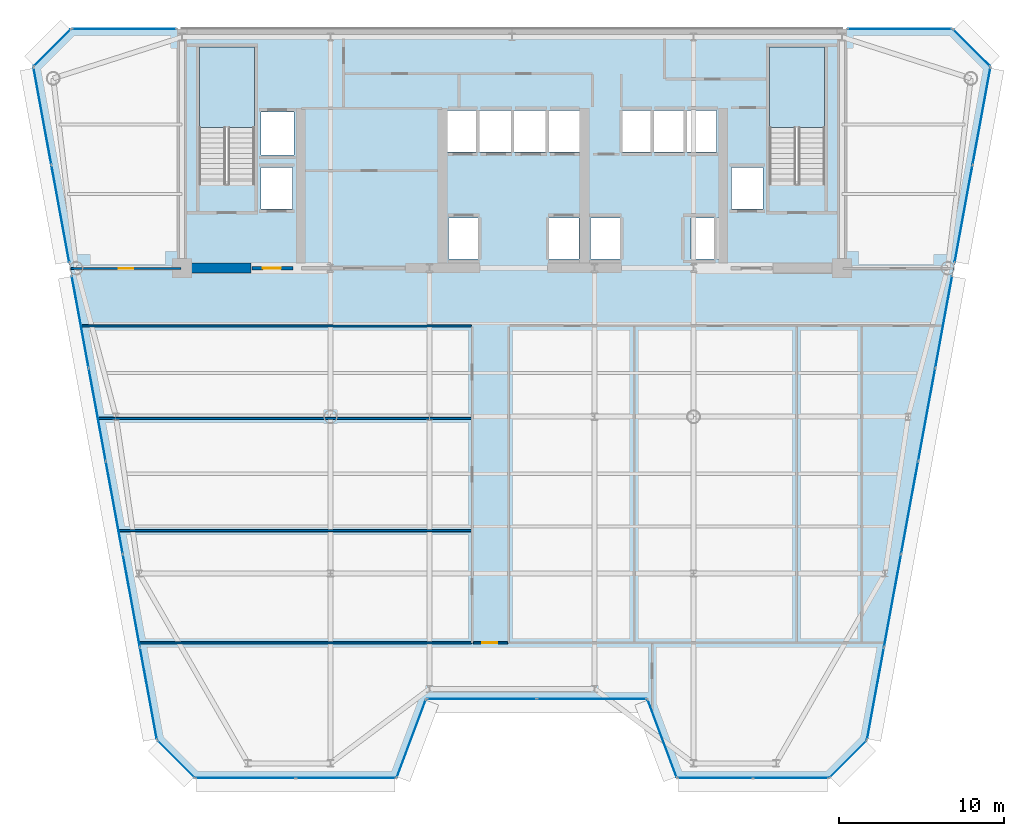
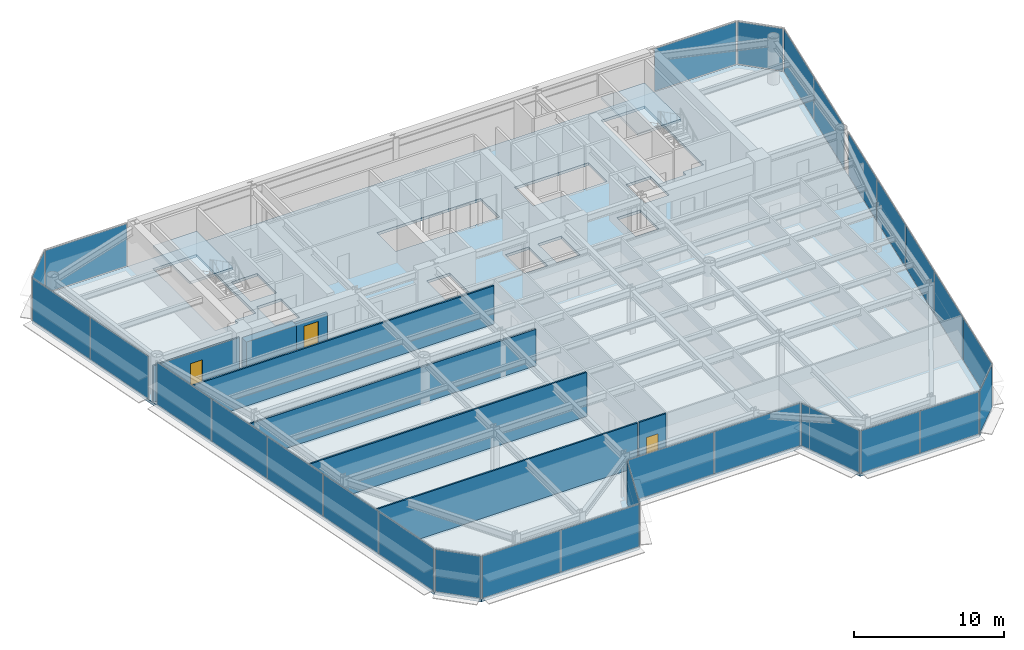
# One storey, part 9 of 16: 28 plates, 8 walls, 3 doors, 3 slabs, 3 openings, 17 elements without a shape of their own.
"""IFC4 building model written with IfcOpenShell, lengths in metres."""

from ifc_helpers import new_model, si_unit, direction, frame, frame_2d, origin, origin_2d, place, context, subcontext, project, spatial, polyline, rectangle, outline, extrude, source, transform, mapped, material, layer, layer_set, type_object, element, fill, aggregate, save


model = new_model("IFC4")

# Units and contexts
model_context = context("Model", 3, precision=1e-05, world=origin(), true_north=direction((0.0, 1.0)))
body_context = subcontext(model_context, "Body", "Model", "MODEL_VIEW")
ifc_project = project(units=[si_unit("LENGTHUNIT", "METRE"), si_unit("AREAUNIT", "SQUARE_METRE"), si_unit("VOLUMEUNIT", "CUBIC_METRE"), si_unit("PLANEANGLEUNIT", "RADIAN"), si_unit("MASSUNIT", "GRAM", prefix="KILO")], contexts=[model_context])

# Site, building, storey
site_placement = place(None, origin())
site = spatial("IfcSite", under=ifc_project, at=site_placement, CompositionType="ELEMENT")
building_placement = place(site_placement, origin())
building = spatial("IfcBuilding", under=site, at=building_placement, Name="Vaeldorn Concourse Tower", CompositionType="ELEMENT")
storey_placement = place(building_placement, frame((0.0, 0.0, 184.199951171875)))
storey = spatial("IfcBuildingStorey", under=building, at=storey_placement, Name="L47", CompositionType="ELEMENT", Elevation=184.199951171875)

# Stair, slab
ifc_material_1 = material(Name="Precast concrete C40/50", Category="concrete")
stair_type = type_object("IfcStairType", Name="STR-DOG-24x158", PredefinedType="HALF_TURN_STAIR", material=ifc_material_1)
stair_1_placement = place(storey_placement, origin())
stair_1 = element("IfcStair", 1, at=stair_1_placement, inside=storey, type_object=stair_type, Name="L47 West Core Exit Stair ST-1", PredefinedType="HALF_TURN_STAIR")
ifc_material_2 = material(Name="Concrete C40/50", Category="concrete")
ifc_layer_1 = layer(ifc_material_2, 0.199951171875)
ifc_layer_set_1 = layer_set([ifc_layer_1], Name="Concrete C40/50")
slab_type_1 = type_object("IfcSlabType", Name="SL-STAIR-LANDING", PredefinedType="LANDING", material=ifc_layer_set_1)
slab_1_placement = place(storey_placement, frame((0.0, 0.0, 1.699951171875)))
slab_1 = element("IfcSlab", 2, at=slab_1_placement, type_object=slab_type_1, Name="ST-1 landing 1", PredefinedType="LANDING", context=body_context, shape_type="SweptSolid", body=[
    extrude(outline(polyline([(18.39990234375, 45.010009765625), (18.39990234375, 49.89990234375), (15.050048828125, 49.89990234375), (15.050048828125, 45.010009765625), (18.39990234375, 45.010009765625)])), origin(), (0.0, 0.0, 1.0), 0.2001953125),
])
aggregate(stair_1, [slab_1])

stair_2_placement = place(storey_placement, origin())
stair_2 = element("IfcStair", 3, at=stair_2_placement, inside=storey, type_object=stair_type, Name="L47 East Core Exit Stair ST-2", PredefinedType="HALF_TURN_STAIR")
slab_2_placement = place(storey_placement, frame((0.0, 0.0, 1.699951171875)))
slab_2 = element("IfcSlab", 4, at=slab_2_placement, type_object=slab_type_1, Name="ST-2 landing 1", PredefinedType="LANDING", context=body_context, shape_type="SweptSolid", body=[
    extrude(outline(polyline([(52.949951171875, 45.010009765625), (52.949951171875, 49.89990234375), (49.60009765625, 49.89990234375), (49.60009765625, 45.010009765625), (52.949951171875, 45.010009765625)])), origin(), (0.0, 0.0, 1.0), 0.2001953125),
])
aggregate(stair_2, [slab_2])

# Slab
ifc_layer_2 = layer(ifc_material_2, 0.219970703125)
ifc_layer_set_2 = layer_set([ifc_layer_2], Name="Concrete C40/50")
slab_type_2 = type_object("IfcSlabType", Name="SL-TYP-220", PredefinedType="FLOOR", material=ifc_layer_set_2)
slab_3_placement = place(storey_placement, frame((0.0, 0.0, -0.219970703125)))
element("IfcSlab", 5, at=slab_3_placement, inside=storey, type_object=slab_type_2, Name="Structural Floor Slab L47", PredefinedType="FLOOR", context=body_context, shape_type="SweptSolid", body=[
    extrude(outline(polyline([(14.791015625, 5.60009765625), (27.0, 5.60009765625), (28.800048828125, 10.39990234375), (42.199951171875, 10.39990234375), (44.0, 5.60009765625), (53.208984375, 5.60009765625), (55.509033203125, 7.89990234375), (63.0, 48.699951171875), (60.699951171875, 51.0), (7.300048828125, 51.0), (5.0, 48.699951171875), (12.490966796875, 7.89990234375), (14.791015625, 5.60009765625)]), holes=[polyline([(18.39990234375, 42.0), (18.39990234375, 49.89990234375), (15.050048828125, 49.89990234375), (15.050048828125, 41.60009765625), (16.800048828125, 41.60009765625), (16.800048828125, 42.0), (18.39990234375, 42.0)]), polyline([(52.949951171875, 42.0), (52.949951171875, 49.89990234375), (49.60009765625, 49.89990234375), (49.60009765625, 41.60009765625), (51.35009765625, 41.60009765625), (51.35009765625, 42.0), (52.949951171875, 42.0)]), polyline([(30.14990234375, 37.050048828125), (31.949951171875, 37.050048828125), (31.949951171875, 39.550048828125), (30.14990234375, 39.550048828125), (30.14990234375, 37.050048828125)]), polyline([(36.25, 37.050048828125), (38.050048828125, 37.050048828125), (38.050048828125, 39.550048828125), (36.25, 39.550048828125), (36.25, 37.050048828125)]), polyline([(30.10009765625, 43.550048828125), (38.10009765625, 43.550048828125), (38.10009765625, 46.050048828125), (30.10009765625, 46.050048828125), (30.10009765625, 43.550048828125)]), polyline([(38.75, 37.050048828125), (40.550048828125, 37.050048828125), (40.550048828125, 39.550048828125), (38.75, 39.550048828125), (38.75, 37.050048828125)]), polyline([(44.85009765625, 37.050048828125), (46.64990234375, 37.050048828125), (46.64990234375, 39.550048828125), (44.85009765625, 39.550048828125), (44.85009765625, 37.050048828125)]), polyline([(40.699951171875, 43.550048828125), (46.39990234375, 43.550048828125), (46.39990234375, 46.050048828125), (40.699951171875, 46.050048828125), (40.699951171875, 43.550048828125)]), polyline([(18.800048828125, 43.35009765625), (20.800048828125, 43.35009765625), (20.800048828125, 45.949951171875), (18.800048828125, 45.949951171875), (18.800048828125, 43.35009765625)]), polyline([(18.800048828125, 40.10009765625), (20.699951171875, 40.10009765625), (20.699951171875, 42.60009765625), (18.800048828125, 42.60009765625), (18.800048828125, 40.10009765625)]), polyline([(47.300048828125, 40.10009765625), (49.199951171875, 40.10009765625), (49.199951171875, 42.60009765625), (47.300048828125, 42.60009765625), (47.300048828125, 40.10009765625)])]), origin(), (0.0, 0.0, 1.0), 0.219970703125),
])

# Curtain wall, plate
ifc_material_3 = material(Name="Anodised Bronze Aluminium", Category="aluminium")
ifc_layer_3 = layer(ifc_material_3, 0.18994140625)
ifc_layer_set_3 = layer_set([ifc_layer_3], Name="Anodised Bronze Aluminium")
curtain_wall_type = type_object("IfcCurtainWallType", Name="CW-SYS-03", PredefinedType="NOTDEFINED", material=ifc_layer_set_3)
curtain_wall_1_placement = place(storey_placement, origin())
curtain_wall_1 = element("IfcCurtainWall", 6, at=curtain_wall_1_placement, inside=storey, type_object=curtain_wall_type, Name="Unitised Curtain Wall CW-L47-E02-1", PredefinedType="NOTDEFINED")
ifc_material_4 = material(Name="Bronze Tinted Low-E Insulated Glass", Category="glass")
ifc_layer_4 = layer(ifc_material_4, 0.031982421875)
ifc_layer_set_4 = layer_set([ifc_layer_4], Name="Bronze Tinted Low-E Insulated Glass")
plate_type = type_object("IfcPlateType", Name="CWP-VISION-32", PredefinedType="CURTAIN_PANEL", material=ifc_layer_set_4)
shared_shape_1 = source(origin(), body_context, "Body", "SweptSolid", [
    extrude(rectangle(XDim=4.996337890625, YDim=0.031982421875, at=origin_2d()), origin(), (0.0, 0.0, 1.0), 3.449951171875),
])
plate_1_placement = place(storey_placement, frame((27.89990234375, 8.0, 0.06494140625), z_axis=(0.0, 0.0, 1.0), x_axis=(0.351123441595, 0.936329177566, 0.0)))
plate_1 = element("IfcPlate", 7, at=plate_1_placement, type_object=plate_type, Name="CW-03 panel 1.1", PredefinedType="CURTAIN_PANEL", context=body_context, shape_type="MappedRepresentation", body=[
    mapped(shared_shape_1, transform((0.0, 0.0, 0.0), scale=1.0)),
])
aggregate(curtain_wall_1, [plate_1])

curtain_wall_2_placement = place(storey_placement, origin())
curtain_wall_2 = element("IfcCurtainWall", 8, at=curtain_wall_2_placement, inside=storey, type_object=curtain_wall_type, Name="Unitised Curtain Wall CW-L47-E04-1", PredefinedType="NOTDEFINED")
plate_2_placement = place(storey_placement, frame((43.10009765625, 8.0, 0.06494140625), z_axis=(0.0, 0.0, 1.0), x_axis=(0.351123441595, -0.936329177566, 0.0)))
plate_2 = element("IfcPlate", 9, at=plate_2_placement, type_object=plate_type, Name="CW-03 panel 1.1", PredefinedType="CURTAIN_PANEL", context=body_context, shape_type="MappedRepresentation", body=[
    mapped(shared_shape_1, transform((0.0, 0.0, 0.0), scale=1.0)),
])
aggregate(curtain_wall_2, [plate_2])

# Curtain wall, plates
curtain_wall_3_placement = place(storey_placement, origin())
curtain_wall_3 = element("IfcCurtainWall", 10, at=curtain_wall_3_placement, inside=storey, type_object=curtain_wall_type, Name="Unitised Curtain Wall CW-L47-E03-1", PredefinedType="NOTDEFINED")
shared_shape_2 = source(origin(), body_context, "Body", "SweptSolid", [
    extrude(rectangle(XDim=6.6025390625, YDim=0.031982421875, at=origin_2d()), origin(), (0.0, 0.0, 1.0), 3.449951171875),
])
plate_3_placement = place(storey_placement, frame((32.166259765625, 10.39990234375, 0.06494140625), z_axis=(0.0, 0.0, 1.0), x_axis=(1.0, 0.0, 0.0)))
plate_3 = element("IfcPlate", 11, at=plate_3_placement, type_object=plate_type, Name="CW-03 panel 1.1", PredefinedType="CURTAIN_PANEL", context=body_context, shape_type="MappedRepresentation", body=[
    mapped(shared_shape_2, transform((0.0, 0.0, 0.0), scale=1.0)),
])
plate_4_placement = place(storey_placement, frame((38.833740234375, 10.39990234375, 0.06494140625), z_axis=(0.0, 0.0, 1.0), x_axis=(1.0, 0.0, 0.0)))
plate_4 = element("IfcPlate", 12, at=plate_4_placement, type_object=plate_type, Name="CW-03 panel 2.1", PredefinedType="CURTAIN_PANEL", context=body_context, shape_type="MappedRepresentation", body=[
    mapped(shared_shape_2, transform((0.0, 0.0, 0.0), scale=1.0)),
])
aggregate(curtain_wall_3, [plate_3, plate_4])

# Curtain wall, plate
curtain_wall_4_placement = place(storey_placement, origin())
curtain_wall_4 = element("IfcCurtainWall", 13, at=curtain_wall_4_placement, inside=storey, type_object=curtain_wall_type, Name="Unitised Curtain Wall CW-L47-E06-1", PredefinedType="NOTDEFINED")
shared_shape_3 = source(origin(), body_context, "Body", "SweptSolid", [
    extrude(rectangle(XDim=3.122802734375, YDim=0.031982421875, at=origin_2d()), origin(), (0.0, 0.0, 1.0), 3.449951171875),
])
plate_5_placement = place(storey_placement, frame((54.35888671875, 6.75, 0.06494140625), z_axis=(0.0, 0.0, 1.0), x_axis=(0.707106781187, 0.707106781187, 0.0)))
plate_5 = element("IfcPlate", 14, at=plate_5_placement, type_object=plate_type, Name="CW-03 panel 1.1", PredefinedType="CURTAIN_PANEL", context=body_context, shape_type="MappedRepresentation", body=[
    mapped(shared_shape_3, transform((0.0, 0.0, 0.0), scale=1.0)),
])
aggregate(curtain_wall_4, [plate_5])

curtain_wall_5_placement = place(storey_placement, origin())
curtain_wall_5 = element("IfcCurtainWall", 15, at=curtain_wall_5_placement, inside=storey, type_object=curtain_wall_type, Name="Unitised Curtain Wall CW-L47-E08-1", PredefinedType="NOTDEFINED")
plate_6_placement = place(storey_placement, frame((61.85009765625, 49.85009765625, 0.06494140625), z_axis=(0.0, 0.0, 1.0), x_axis=(-0.707106781187, 0.707106781187, 0.0)))
plate_6 = element("IfcPlate", 16, at=plate_6_placement, type_object=plate_type, Name="CW-03 panel 1.1", PredefinedType="CURTAIN_PANEL", context=body_context, shape_type="MappedRepresentation", body=[
    mapped(shared_shape_3, transform((0.0, 0.0, 0.0), scale=1.0)),
])
aggregate(curtain_wall_5, [plate_6])

curtain_wall_6_placement = place(storey_placement, origin())
curtain_wall_6 = element("IfcCurtainWall", 17, at=curtain_wall_6_placement, inside=storey, type_object=curtain_wall_type, Name="Unitised Curtain Wall CW-L47-E10-1", PredefinedType="NOTDEFINED")
plate_7_placement = place(storey_placement, frame((6.14990234375, 49.85009765625, 0.06494140625), z_axis=(0.0, 0.0, 1.0), x_axis=(-0.707106781187, -0.707106781187, 0.0)))
plate_7 = element("IfcPlate", 18, at=plate_7_placement, type_object=plate_type, Name="CW-03 panel 1.1", PredefinedType="CURTAIN_PANEL", context=body_context, shape_type="MappedRepresentation", body=[
    mapped(shared_shape_3, transform((0.0, 0.0, 0.0), scale=1.0)),
])
aggregate(curtain_wall_6, [plate_7])

curtain_wall_7_placement = place(storey_placement, origin())
curtain_wall_7 = element("IfcCurtainWall", 19, at=curtain_wall_7_placement, inside=storey, type_object=curtain_wall_type, Name="Unitised Curtain Wall CW-L47-E12-1", PredefinedType="NOTDEFINED")
plate_8_placement = place(storey_placement, frame((13.64111328125, 6.75, 0.06494140625), z_axis=(0.0, 0.0, 1.0), x_axis=(0.707106781187, -0.707106781187, 0.0)))
plate_8 = element("IfcPlate", 20, at=plate_8_placement, type_object=plate_type, Name="CW-03 panel 1.1", PredefinedType="CURTAIN_PANEL", context=body_context, shape_type="MappedRepresentation", body=[
    mapped(shared_shape_3, transform((0.0, 0.0, 0.0), scale=1.0)),
])
aggregate(curtain_wall_7, [plate_8])

curtain_wall_8_placement = place(storey_placement, origin())
curtain_wall_8 = element("IfcCurtainWall", 21, at=curtain_wall_8_placement, inside=storey, type_object=curtain_wall_type, Name="Unitised Curtain Wall CW-L47-E09-1", PredefinedType="NOTDEFINED")
shared_shape_4 = source(origin(), body_context, "Body", "SweptSolid", [
    extrude(rectangle(XDim=6.27490234375, YDim=0.031982421875, at=origin_2d()), origin(), (0.0, 0.0, 1.0), 3.449951171875),
])
plate_9_placement = place(storey_placement, frame((57.49755859375, 51.0, 0.06494140625), z_axis=(0.0, 0.0, 1.0), x_axis=(-1.0, 0.0, 0.0)))
plate_9 = element("IfcPlate", 22, at=plate_9_placement, type_object=plate_type, Name="CW-03 panel 1.1", PredefinedType="CURTAIN_PANEL", context=body_context, shape_type="MappedRepresentation", body=[
    mapped(shared_shape_4, transform((0.0, 0.0, 0.0), scale=1.0)),
])
aggregate(curtain_wall_8, [plate_9])

curtain_wall_9_placement = place(storey_placement, origin())
curtain_wall_9 = element("IfcCurtainWall", 23, at=curtain_wall_9_placement, inside=storey, type_object=curtain_wall_type, Name="Unitised Curtain Wall CW-L47-E09-2", PredefinedType="NOTDEFINED")
plate_10_placement = place(storey_placement, frame((10.50244140625, 51.0, 0.06494140625), z_axis=(0.0, 0.0, 1.0), x_axis=(-1.0, 0.0, 0.0)))
plate_10 = element("IfcPlate", 24, at=plate_10_placement, type_object=plate_type, Name="CW-03 panel 1.1", PredefinedType="CURTAIN_PANEL", context=body_context, shape_type="MappedRepresentation", body=[
    mapped(shared_shape_4, transform((0.0, 0.0, 0.0), scale=1.0)),
])
aggregate(curtain_wall_9, [plate_10])

# Curtain wall, plates
curtain_wall_10_placement = place(storey_placement, origin())
curtain_wall_10 = element("IfcCurtainWall", 25, at=curtain_wall_10_placement, inside=storey, type_object=curtain_wall_type, Name="Unitised Curtain Wall CW-L47-E07-1", PredefinedType="NOTDEFINED")
shared_shape_5 = source(origin(), body_context, "Body", "SweptSolid", [
    extrude(rectangle(XDim=5.63330078125, YDim=0.031982421875, at=origin_2d()), origin(), (0.0, 0.0, 1.0), 3.449951171875),
])
plate_11_placement = place(storey_placement, frame((56.029296875, 10.734375, 0.06494140625), z_axis=(0.0, 0.0, 1.0), x_axis=(0.180585309951, 0.983559325018, 0.0)))
plate_11 = element("IfcPlate", 26, at=plate_11_placement, type_object=plate_type, Name="CW-03 panel 1.1", PredefinedType="CURTAIN_PANEL", context=body_context, shape_type="MappedRepresentation", body=[
    mapped(shared_shape_5, transform((0.0, 0.0, 0.0), scale=1.0)),
])
plate_12_placement = place(storey_placement, frame((60.1630859375, 33.249267578125, 0.06494140625), z_axis=(0.0, 0.0, 1.0), x_axis=(0.180585309951, 0.983559325018, 0.0)))
plate_12 = element("IfcPlate", 27, at=plate_12_placement, type_object=plate_type, Name="CW-03 panel 5.1", PredefinedType="CURTAIN_PANEL", context=body_context, shape_type="MappedRepresentation", body=[
    mapped(shared_shape_5, transform((0.0, 0.0, 0.0), scale=1.0)),
])

curtain_wall_11_placement = place(storey_placement, origin())
curtain_wall_11 = element("IfcCurtainWall", 28, at=curtain_wall_11_placement, inside=storey, type_object=curtain_wall_type, Name="Unitised Curtain Wall CW-L47-E11-2", PredefinedType="NOTDEFINED")
plate_13_placement = place(storey_placement, frame((7.8369140625, 33.249267578125, 0.06494140625), z_axis=(0.0, 0.0, 1.0), x_axis=(0.180585309951, -0.983559325018, 0.0)))
plate_13 = element("IfcPlate", 29, at=plate_13_placement, type_object=plate_type, Name="CW-03 panel 1.1", PredefinedType="CURTAIN_PANEL", context=body_context, shape_type="MappedRepresentation", body=[
    mapped(shared_shape_5, transform((0.0, 0.0, 0.0), scale=1.0)),
])
plate_14_placement = place(storey_placement, frame((11.970703125, 10.734375, 0.06494140625), z_axis=(0.0, 0.0, 1.0), x_axis=(0.180585309951, -0.983559325018, 0.0)))
plate_14 = element("IfcPlate", 30, at=plate_14_placement, type_object=plate_type, Name="CW-03 panel 5.1", PredefinedType="CURTAIN_PANEL", context=body_context, shape_type="MappedRepresentation", body=[
    mapped(shared_shape_5, transform((0.0, 0.0, 0.0), scale=1.0)),
])

# Plate
shared_shape_6 = source(origin(), body_context, "Body", "SweptSolid", [
    extrude(rectangle(XDim=5.666015625, YDim=0.031982421875, at=origin_2d()), origin(), (0.0, 0.0, 1.0), 3.449951171875),
])
plate_15_placement = place(storey_placement, frame((57.061279296875, 16.35498046875, 0.06494140625), z_axis=(0.0, 0.0, 1.0), x_axis=(0.180585309951, 0.983559325018, 0.0)))
plate_15 = element("IfcPlate", 31, at=plate_15_placement, type_object=plate_type, Name="CW-03 panel 2.1", PredefinedType="CURTAIN_PANEL", context=body_context, shape_type="MappedRepresentation", body=[
    mapped(shared_shape_6, transform((0.0, 0.0, 0.0), scale=1.0)),
])

plate_16_placement = place(storey_placement, frame((58.09619140625, 21.99169921875, 0.06494140625), z_axis=(0.0, 0.0, 1.0), x_axis=(0.180585309951, 0.983559325018, 0.0)))
plate_16 = element("IfcPlate", 32, at=plate_16_placement, type_object=plate_type, Name="CW-03 panel 3.1", PredefinedType="CURTAIN_PANEL", context=body_context, shape_type="MappedRepresentation", body=[
    mapped(shared_shape_6, transform((0.0, 0.0, 0.0), scale=1.0)),
])

plate_17_placement = place(storey_placement, frame((59.131103515625, 27.62841796875, 0.06494140625), z_axis=(0.0, 0.0, 1.0), x_axis=(0.180585309951, 0.983559325018, 0.0)))
plate_17 = element("IfcPlate", 33, at=plate_17_placement, type_object=plate_type, Name="CW-03 panel 4.1", PredefinedType="CURTAIN_PANEL", context=body_context, shape_type="MappedRepresentation", body=[
    mapped(shared_shape_6, transform((0.0, 0.0, 0.0), scale=1.0)),
])

aggregate(curtain_wall_10, [plate_11, plate_15, plate_16, plate_17, plate_12])

plate_18_placement = place(storey_placement, frame((8.868896484375, 27.62841796875, 0.06494140625), z_axis=(0.0, 0.0, 1.0), x_axis=(0.180585309951, -0.983559325018, 0.0)))
plate_18 = element("IfcPlate", 34, at=plate_18_placement, type_object=plate_type, Name="CW-03 panel 2.1", PredefinedType="CURTAIN_PANEL", context=body_context, shape_type="MappedRepresentation", body=[
    mapped(shared_shape_6, transform((0.0, 0.0, 0.0), scale=1.0)),
])

plate_19_placement = place(storey_placement, frame((9.90380859375, 21.99169921875, 0.06494140625), z_axis=(0.0, 0.0, 1.0), x_axis=(0.180585309951, -0.983559325018, 0.0)))
plate_19 = element("IfcPlate", 35, at=plate_19_placement, type_object=plate_type, Name="CW-03 panel 3.1", PredefinedType="CURTAIN_PANEL", context=body_context, shape_type="MappedRepresentation", body=[
    mapped(shared_shape_6, transform((0.0, 0.0, 0.0), scale=1.0)),
])

plate_20_placement = place(storey_placement, frame((10.938720703125, 16.35498046875, 0.06494140625), z_axis=(0.0, 0.0, 1.0), x_axis=(0.180585309951, -0.983559325018, 0.0)))
plate_20 = element("IfcPlate", 36, at=plate_20_placement, type_object=plate_type, Name="CW-03 panel 4.1", PredefinedType="CURTAIN_PANEL", context=body_context, shape_type="MappedRepresentation", body=[
    mapped(shared_shape_6, transform((0.0, 0.0, 0.0), scale=1.0)),
])

aggregate(curtain_wall_11, [plate_13, plate_18, plate_19, plate_20, plate_14])

# Curtain wall, plates
curtain_wall_12_placement = place(storey_placement, origin())
curtain_wall_12 = element("IfcCurtainWall", 37, at=curtain_wall_12_placement, inside=storey, type_object=curtain_wall_type, Name="Unitised Curtain Wall CW-L47-E07-2", PredefinedType="NOTDEFINED")
shared_shape_7 = source(origin(), body_context, "Body", "SweptSolid", [
    extrude(rectangle(XDim=5.9482421875, YDim=0.031982421875, at=origin_2d()), origin(), (0.0, 0.0, 1.0), 3.449951171875),
])
plate_21_placement = place(storey_placement, frame((61.365234375, 39.796630859375, 0.06494140625), z_axis=(0.0, 0.0, 1.0), x_axis=(0.180584576845, 0.983559459619, 0.0)))
plate_21 = element("IfcPlate", 38, at=plate_21_placement, type_object=plate_type, Name="CW-03 panel 1.1", PredefinedType="CURTAIN_PANEL", context=body_context, shape_type="MappedRepresentation", body=[
    mapped(shared_shape_7, transform((0.0, 0.0, 0.0), scale=1.0)),
])
plate_22_placement = place(storey_placement, frame((62.451171875, 45.7109375, 0.06494140625), z_axis=(0.0, 0.0, 1.0), x_axis=(0.180584576845, 0.983559459619, 0.0)))
plate_22 = element("IfcPlate", 39, at=plate_22_placement, type_object=plate_type, Name="CW-03 panel 2.1", PredefinedType="CURTAIN_PANEL", context=body_context, shape_type="MappedRepresentation", body=[
    mapped(shared_shape_7, transform((0.0, 0.0, 0.0), scale=1.0)),
])
aggregate(curtain_wall_12, [plate_21, plate_22])

curtain_wall_13_placement = place(storey_placement, origin())
curtain_wall_13 = element("IfcCurtainWall", 40, at=curtain_wall_13_placement, inside=storey, type_object=curtain_wall_type, Name="Unitised Curtain Wall CW-L47-E11-1", PredefinedType="NOTDEFINED")
plate_23_placement = place(storey_placement, frame((5.548828125, 45.7109375, 0.06494140625), z_axis=(0.0, 0.0, 1.0), x_axis=(0.180584576845, -0.983559459619, 0.0)))
plate_23 = element("IfcPlate", 41, at=plate_23_placement, type_object=plate_type, Name="CW-03 panel 1.1", PredefinedType="CURTAIN_PANEL", context=body_context, shape_type="MappedRepresentation", body=[
    mapped(shared_shape_7, transform((0.0, 0.0, 0.0), scale=1.0)),
])
plate_24_placement = place(storey_placement, frame((6.634765625, 39.796630859375, 0.06494140625), z_axis=(0.0, 0.0, 1.0), x_axis=(0.180584576845, -0.983559459619, 0.0)))
plate_24 = element("IfcPlate", 42, at=plate_24_placement, type_object=plate_type, Name="CW-03 panel 2.1", PredefinedType="CURTAIN_PANEL", context=body_context, shape_type="MappedRepresentation", body=[
    mapped(shared_shape_7, transform((0.0, 0.0, 0.0), scale=1.0)),
])
aggregate(curtain_wall_13, [plate_23, plate_24])

curtain_wall_14_placement = place(storey_placement, origin())
curtain_wall_14 = element("IfcCurtainWall", 43, at=curtain_wall_14_placement, inside=storey, type_object=curtain_wall_type, Name="Unitised Curtain Wall CW-L47-E01-1", PredefinedType="NOTDEFINED")
shared_shape_8 = source(origin(), body_context, "Body", "SweptSolid", [
    extrude(rectangle(XDim=6.007080078125, YDim=0.031982421875, at=origin_2d()), origin(), (0.0, 0.0, 1.0), 3.449951171875),
])
plate_25_placement = place(storey_placement, frame((17.859619140625, 5.60009765625, 0.06494140625), z_axis=(0.0, 0.0, 1.0), x_axis=(1.0, 0.0, 0.0)))
plate_25 = element("IfcPlate", 44, at=plate_25_placement, type_object=plate_type, Name="CW-03 panel 1.1", PredefinedType="CURTAIN_PANEL", context=body_context, shape_type="MappedRepresentation", body=[
    mapped(shared_shape_8, transform((0.0, 0.0, 0.0), scale=1.0)),
])
plate_26_placement = place(storey_placement, frame((23.931396484375, 5.60009765625, 0.06494140625), z_axis=(0.0, 0.0, 1.0), x_axis=(1.0, 0.0, 0.0)))
plate_26 = element("IfcPlate", 45, at=plate_26_placement, type_object=plate_type, Name="CW-03 panel 2.1", PredefinedType="CURTAIN_PANEL", context=body_context, shape_type="MappedRepresentation", body=[
    mapped(shared_shape_8, transform((0.0, 0.0, 0.0), scale=1.0)),
])
aggregate(curtain_wall_14, [plate_25, plate_26])

curtain_wall_15_placement = place(storey_placement, origin())
curtain_wall_15 = element("IfcCurtainWall", 46, at=curtain_wall_15_placement, inside=storey, type_object=curtain_wall_type, Name="Unitised Curtain Wall CW-L47-E05-1", PredefinedType="NOTDEFINED")
shared_shape_9 = source(origin(), body_context, "Body", "SweptSolid", [
    extrude(rectangle(XDim=4.507080078125, YDim=0.031982421875, at=origin_2d()), origin(), (0.0, 0.0, 1.0), 3.449951171875),
])
plate_27_placement = place(storey_placement, frame((46.318603515625, 5.60009765625, 0.06494140625), z_axis=(0.0, 0.0, 1.0), x_axis=(1.0, 0.0, 0.0)))
plate_27 = element("IfcPlate", 47, at=plate_27_placement, type_object=plate_type, Name="CW-03 panel 1.1", PredefinedType="CURTAIN_PANEL", context=body_context, shape_type="MappedRepresentation", body=[
    mapped(shared_shape_9, transform((0.0, 0.0, 0.0), scale=1.0)),
])
plate_28_placement = place(storey_placement, frame((50.890380859375, 5.60009765625, 0.06494140625), z_axis=(0.0, 0.0, 1.0), x_axis=(1.0, 0.0, 0.0)))
plate_28 = element("IfcPlate", 48, at=plate_28_placement, type_object=plate_type, Name="CW-03 panel 2.1", PredefinedType="CURTAIN_PANEL", context=body_context, shape_type="MappedRepresentation", body=[
    mapped(shared_shape_9, transform((0.0, 0.0, 0.0), scale=1.0)),
])
aggregate(curtain_wall_15, [plate_27, plate_28])

# Walls
ifc_material_5 = material(Name="Concrete C50/60", Category="concrete")
ifc_layer_5 = layer(ifc_material_5, 0.60009765625)
ifc_layer_set_5 = layer_set([ifc_layer_5], Name="Concrete C50/60")
wall_type_1 = type_object("IfcWallType", Name="WL-CORE-600", PredefinedType="SHEAR", material=ifc_layer_set_5)
wall_1_placement = place(storey_placement, frame((14.320068359375, 36.5, 0.0), z_axis=(0.0, 0.0, 1.0), x_axis=(1.0, 0.0, 0.0)))
element("IfcWall", 49, at=wall_1_placement, inside=storey, type_object=wall_type_1, Name="Rear Core Shear Wall L47 S1", PredefinedType="SHEAR", context=body_context, shape_type="SweptSolid", body=[
    extrude(rectangle(XDim=3.8798828125, YDim=0.60009765625, at=frame_2d((1.93994140625, 0.0))), origin(), (0.0, 0.0, 1.0), 2.580078125),
])
ifc_material_6 = material(Name="Gypsum Board Partition", Category="gypsum")
ifc_layer_6 = layer(ifc_material_6, 0.1201171875)
ifc_layer_set_6 = layer_set([ifc_layer_6], Name="Gypsum Board Partition")
wall_type_2 = type_object("IfcWallType", Name="WL-PART-120", PredefinedType="PARTITIONING", material=ifc_layer_set_6)
wall_2_placement = place(storey_placement, frame((7.922607421875, 33.0, 0.0), z_axis=(0.0, 0.0, 1.0), x_axis=(1.0, 0.0, 0.0)))
element("IfcWall", 50, at=wall_2_placement, inside=storey, type_object=wall_type_2, Name="Interior Wall PW-L47-C2SW", PredefinedType="PARTITIONING", context=body_context, shape_type="SweptSolid", body=[
    extrude(rectangle(XDim=23.617431640625, YDim=0.1201171875, at=frame_2d((11.80859375, 0.0))), origin(), (0.0, 0.0, 1.0), 3.1201171875),
])

# Wall, opening, door
wall_3_placement = place(storey_placement, frame((31.659912109375, 13.800048828125, 0.0), z_axis=(0.0, 0.0, 1.0), x_axis=(1.0, 0.0, 0.0)))
wall_3 = element("IfcWall", 51, at=wall_3_placement, inside=storey, type_object=wall_type_2, Name="Interior Wall PW-L47-SP2S", PredefinedType="PARTITIONING", context=body_context, shape_type="SweptSolid", body=[
    extrude(rectangle(XDim=2.080078125, YDim=0.1201171875, at=frame_2d((1.0400390625, 0.0))), origin(), (0.0, 0.0, 1.0), 3.580078125),
])
opening_1_placement = place(wall_3_placement, frame((0.550048828125, 0.0, 0.0)))
opening_1 = element("IfcOpeningElement", 52, at=opening_1_placement, cuts=wall_3, Name="Opening D-03", PredefinedType="OPENING", context=body_context, shape_type="SweptSolid", body=[
    extrude(rectangle(XDim=0.89990234375, YDim=2.14990234375, at=frame_2d((0.449951171875, 1.074951171875))), frame((0.0, 0.070068359375, 0.0), z_axis=(0.0, -1.0, 0.0), x_axis=(1.0, 0.0, 0.0)), (0.0, 0.0, 1.0), 0.14013671875),
])
ifc_material_7 = material(Name="Acoustic Bronze-Framed Glass Door", Category="glass")
door_type_1 = type_object("IfcDoorType", Name="DR-INT-900", OperationType="NOTDEFINED", PredefinedType="DOOR", material=ifc_material_7)
shared_shape_10 = source(origin(), body_context, "Body", "SweptSolid", [
    extrude(rectangle(XDim=0.89990234375, YDim=2.14990234375, at=frame_2d((0.449951171875, 1.074951171875))), frame((0.0, 0.02490234375, 0.0), z_axis=(0.0, -1.0, 0.0), x_axis=(1.0, 0.0, 0.0)), (0.0, 0.0, 1.0), 0.050048828125),
])
door_1_placement = place(opening_1_placement, origin())
door_1 = element("IfcDoor", 53, at=door_1_placement, inside=storey, type_object=door_type_1, Name="Interior Door DR-L47-Z2SFM", OperationType="SINGLE_SWING_LEFT", OverallHeight=2.14990234375, OverallWidth=0.89990234375, PredefinedType="DOOR", context=body_context, shape_type="MappedRepresentation", body=[
    mapped(shared_shape_10, transform((0.0, 0.0, 0.0), scale=1.0)),
])
fill(opening_1, door_1)

wall_4_placement = place(storey_placement, frame((7.2890625, 36.47998046875, 0.0), z_axis=(0.0, 0.0, 1.0), x_axis=(1.0, 0.0, 0.0)))
wall_4 = element("IfcWall", 54, at=wall_4_placement, inside=storey, type_object=wall_type_2, Name="Interior Wall PW-L47-NWS", PredefinedType="PARTITIONING", context=body_context, shape_type="SweptSolid", body=[
    extrude(rectangle(XDim=6.65087890625, YDim=0.1201171875, at=frame_2d((3.325439453125, 0.0))), origin(), (0.0, 0.0, 1.0), 2.969970703125),
])
opening_2_placement = place(wall_4_placement, frame((2.875, 0.0, 0.0)))
opening_2 = element("IfcOpeningElement", 55, at=opening_2_placement, cuts=wall_4, Name="Opening D-03", PredefinedType="OPENING", context=body_context, shape_type="SweptSolid", body=[
    extrude(rectangle(XDim=0.89990234375, YDim=2.14990234375, at=frame_2d((0.449951171875, 1.074951171875))), frame((0.0, 0.070068359375, 0.0), z_axis=(0.0, -1.0, 0.0), x_axis=(1.0, 0.0, 0.0)), (0.0, 0.0, 1.0), 0.14013671875),
])
door_2_placement = place(opening_2_placement, origin())
door_2 = element("IfcDoor", 56, at=door_2_placement, inside=storey, type_object=door_type_1, Name="Interior Door DR-L47-NWC", OperationType="SINGLE_SWING_LEFT", OverallHeight=2.14990234375, OverallWidth=0.89990234375, PredefinedType="DOOR", context=body_context, shape_type="MappedRepresentation", body=[
    mapped(shared_shape_10, transform((0.0, 0.0, 0.0), scale=1.0)),
])
fill(opening_2, door_2)

# Walls
wall_5_placement = place(storey_placement, frame((11.44775390625, 13.800048828125, 0.0), z_axis=(0.0, 0.0, 1.0), x_axis=(1.0, 0.0, 0.0)))
element("IfcWall", 57, at=wall_5_placement, inside=storey, type_object=wall_type_2, Name="Interior Wall PW-L47-S2WL", PredefinedType="PARTITIONING", context=body_context, shape_type="SweptSolid", body=[
    extrude(rectangle(XDim=20.09228515625, YDim=0.1201171875, at=frame_2d((10.046142578125, 0.0))), origin(), (0.0, 0.0, 1.0), 3.580078125),
])
wall_6_placement = place(storey_placement, frame((10.19921875, 20.60009765625, 0.0), z_axis=(0.0, 0.0, 1.0), x_axis=(1.0, 0.0, 0.0)))
element("IfcWall", 58, at=wall_6_placement, inside=storey, type_object=wall_type_2, Name="Interior Wall PW-L47-Z2WY1", PredefinedType="PARTITIONING", context=body_context, shape_type="SweptSolid", body=[
    extrude(rectangle(XDim=21.3408203125, YDim=0.1201171875, at=frame_2d((10.67041015625, 0.0))), origin(), (0.0, 0.0, 1.0), 3.580078125),
])
wall_7_placement = place(storey_placement, frame((8.95068359375, 27.39990234375, 0.0), z_axis=(0.0, 0.0, 1.0), x_axis=(1.0, 0.0, 0.0)))
element("IfcWall", 59, at=wall_7_placement, inside=storey, type_object=wall_type_2, Name="Interior Wall PW-L47-Z2WY2", PredefinedType="PARTITIONING", context=body_context, shape_type="SweptSolid", body=[
    extrude(rectangle(XDim=22.58935546875, YDim=0.1201171875, at=frame_2d((11.294677734375, 0.0))), origin(), (0.0, 0.0, 1.0), 2.969970703125),
])

# Wall, opening, door
ifc_layer_7 = layer(ifc_material_5, 0.199951171875)
ifc_layer_set_7 = layer_set([ifc_layer_7], Name="Concrete C50/60")
wall_type_3 = type_object("IfcWallType", Name="WL-SHAFT-200", PredefinedType="SOLIDWALL", material=ifc_layer_set_7)
wall_8_placement = place(storey_placement, frame((18.25, 36.5, 0.0), z_axis=(0.0, 0.0, 1.0), x_axis=(1.0, 0.0, 0.0)))
wall_8 = element("IfcWall", 60, at=wall_8_placement, inside=storey, type_object=wall_type_3, Name="Interior Wall CW-L47-FF1S", PredefinedType="SOLIDWALL", context=body_context, shape_type="SweptSolid", body=[
    extrude(rectangle(XDim=2.469970703125, YDim=0.199951171875, at=frame_2d((1.23486328125, 0.0))), origin(), (0.0, 0.0, 1.0), 2.570068359375),
])
opening_3_placement = place(wall_8_placement, frame((0.64990234375, 0.0, 0.0)))
opening_3 = element("IfcOpeningElement", 61, at=opening_3_placement, cuts=wall_8, Name="Opening D-01", PredefinedType="OPENING", context=body_context, shape_type="SweptSolid", body=[
    extrude(rectangle(XDim=1.10009765625, YDim=2.14990234375, at=frame_2d((0.550048828125, 1.074951171875))), frame((0.0, 0.10986328125, 0.0), z_axis=(0.0, -1.0, 0.0), x_axis=(1.0, 0.0, 0.0)), (0.0, 0.0, 1.0), 0.219970703125),
])
ifc_material_8 = material(Name="Fire-Rated Timber and Steel Leaf", Category="steel")
door_type_2 = type_object("IfcDoorType", Name="DR-FD60-1100", OperationType="NOTDEFINED", PredefinedType="DOOR", material=ifc_material_8)
shared_shape_11 = source(origin(), body_context, "Body", "SweptSolid", [
    extrude(rectangle(XDim=1.10009765625, YDim=2.14990234375, at=frame_2d((0.550048828125, 1.074951171875))), frame((0.0, 0.02490234375, 0.0), z_axis=(0.0, -1.0, 0.0), x_axis=(1.0, 0.0, 0.0)), (0.0, 0.0, 1.0), 0.050048828125),
])
door_3_placement = place(opening_3_placement, origin())
door_3 = element("IfcDoor", 62, at=door_3_placement, inside=storey, type_object=door_type_2, Name="Interior Door DR-L47-FF1E", OperationType="SINGLE_SWING_RIGHT", OverallHeight=2.14990234375, OverallWidth=1.10009765625, PredefinedType="DOOR", context=body_context, shape_type="MappedRepresentation", body=[
    mapped(shared_shape_11, transform((0.0, 0.0, 0.0), scale=1.0)),
])
fill(opening_3, door_3)

save(model, "model.ifc")
